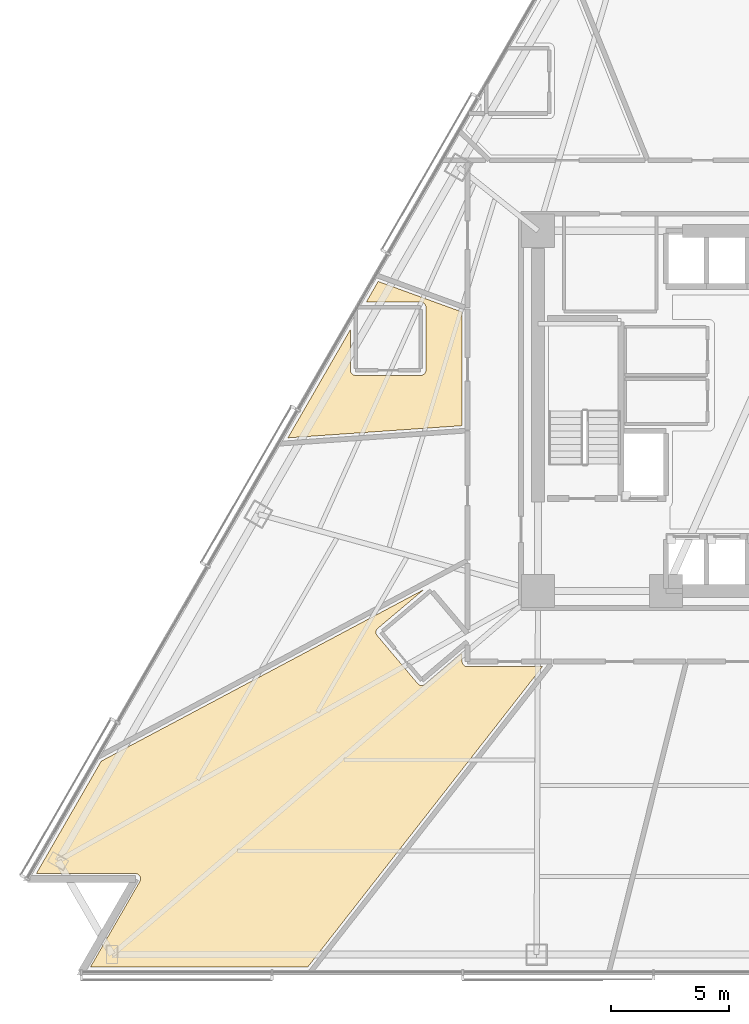
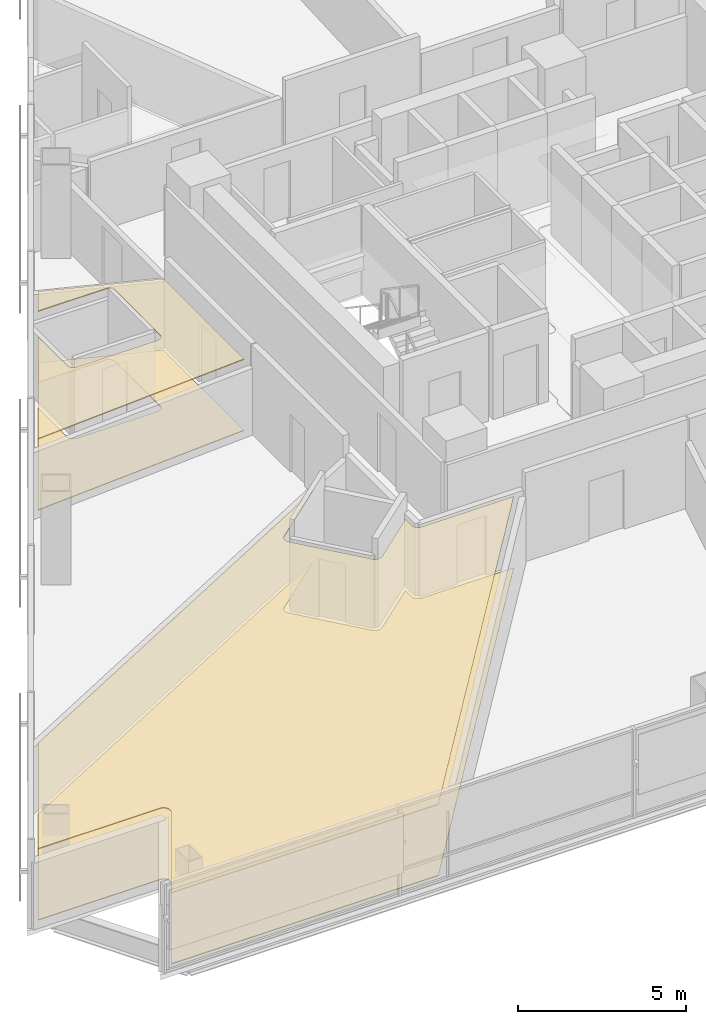
# One storey, part 14 of 16: 4 coverings.
"""IFC4 building model written with IfcOpenShell, lengths in metres."""

import ifcopenshell
import ifcopenshell.guid

model = None  # the IFC model being written
_history = None  # IfcOwnerHistory: only IFC2X3 demands one
_inside = {}  # id of a spatial element -> (the spatial element, [elements in it])
_under = {}  # id of a project, library or spatial element -> (it, [spatial elements below it])
_declared = {}  # id of a project -> (the project, [libraries it declares])
_typed = {}  # id of a type object -> (the type object, [elements of that type])
_made_of = {}  # id of a material, layer set ... -> (it, [elements and type objects made of it])


def new_model(schema):
    """Start an empty IFC model of exactly this schema.

    Asked for "IFC4X3", IfcOpenShell would pick the latest addendum, in which some entities
    have other attributes; the version numbers below select the first issue.
    IFC2X3 requires an IfcOwnerHistory on every rooted entity: one is made here for all.
    """
    global model, _history
    if schema == "IFC4X3":
        model = ifcopenshell.file(schema_version=(4, 3, 0, 0))
    else:
        model = ifcopenshell.file(schema=schema)
    _inside.clear()
    _under.clear()
    _declared.clear()
    _typed.clear()
    _made_of.clear()
    _history = None
    if model.schema == "IFC2X3":
        org = make("IfcOrganization", Name="unknown")
        user = make(
            "IfcPersonAndOrganization",
            ThePerson=make("IfcPerson", FamilyName="unknown"),
            TheOrganization=org,
        )
        app = make(
            "IfcApplication",
            ApplicationDeveloper=org,
            Version="unknown",
            ApplicationFullName="unknown",
            ApplicationIdentifier="unknown",
        )
        _history = make(
            "IfcOwnerHistory",
            OwningUser=user,
            OwningApplication=app,
            ChangeAction="ADDED",
            CreationDate=0,
        )
    return model


def make(cls, **values):
    """One entity of the class cls with the attributes given. An attribute that is None is left unset."""
    return model.create_entity(
        cls, **{name: value for name, value in values.items() if value is not None}
    )


def rooted(cls, **values):
    """An entity with a GlobalId (a new one), such as an element, a storey or a relation."""
    return make(cls, GlobalId=ifcopenshell.guid.new(), OwnerHistory=_history, **values)


def si_unit(unit_type, name, prefix=None):
    """IfcSIUnit, for example si_unit("LENGTHUNIT", "METRE", prefix="MILLI")."""
    return make("IfcSIUnit", UnitType=unit_type, Prefix=prefix, Name=name)


def assignment(units):
    """IfcUnitAssignment: the units of a project."""
    return None if units is None else make("IfcUnitAssignment", Units=units)


def point(xyz):
    """IfcCartesianPoint."""
    return None if xyz is None else make("IfcCartesianPoint", Coordinates=xyz)


def direction(xyz):
    """IfcDirection."""
    return None if xyz is None else make("IfcDirection", DirectionRatios=xyz)


def frame(location, z_axis=None, x_axis=None):
    """IfcAxis2Placement3D, a coordinate frame: its origin and axes. An axis left out is left unset."""
    return make(
        "IfcAxis2Placement3D",
        Location=point(location),
        Axis=direction(z_axis),
        RefDirection=direction(x_axis),
    )


def origin():
    """The frame at (0, 0, 0) with its axes left unset."""
    return frame((0.0, 0.0, 0.0))


def place(relative_to, where):
    """IfcLocalPlacement: puts the frame where relative to a parent placement (None: the world)."""
    return make(
        "IfcLocalPlacement", PlacementRelTo=relative_to, RelativePlacement=where
    )


def context(
    kind, dimensions, precision=None, world=None, true_north=None, identifier=None
):
    """IfcGeometricRepresentationContext, for example the 3D "Model" context."""
    return make(
        "IfcGeometricRepresentationContext",
        ContextIdentifier=identifier,
        ContextType=kind,
        CoordinateSpaceDimension=dimensions,
        Precision=precision,
        WorldCoordinateSystem=world,
        TrueNorth=true_north,
    )


def subcontext(parent, identifier, kind, view, scale=None):
    """IfcGeometricRepresentationSubContext, for example "Body" below "Model"."""
    return make(
        "IfcGeometricRepresentationSubContext",
        ContextIdentifier=identifier,
        ContextType=kind,
        ParentContext=parent,
        TargetScale=scale,
        TargetView=view,
    )


def project(units=None, contexts=None):
    """IfcProject with its units and contexts."""
    return rooted(
        "IfcProject",
        Name="project",
        RepresentationContexts=contexts,
        UnitsInContext=assignment(units),
    )


def spatial(cls, under=None, at=None, **own):
    """A site, building, storey or space (cls), placed at a placement, below another one or the project."""
    s = rooted(cls, ObjectPlacement=at, **own)
    if under is not None:
        _under.setdefault(under.id(), (under, []))[1].append(s)
    return s


def polyline(points):
    """IfcPolyline through the points."""
    return make("IfcPolyline", Points=[point(p) for p in points])


def outline(outer, holes=None, kind="AREA"):
    """IfcArbitraryClosedProfileDef: a profile drawn as a closed curve; with holes, ...WithVoids."""
    if holes is None:
        return make("IfcArbitraryClosedProfileDef", ProfileType=kind, OuterCurve=outer)
    return make(
        "IfcArbitraryProfileDefWithVoids",
        ProfileType=kind,
        OuterCurve=outer,
        InnerCurves=holes,
    )


def extrude(swept, where, along, depth):
    """IfcExtrudedAreaSolid: the profile swept, set in the frame where, extruded along a direction by depth."""
    return make(
        "IfcExtrudedAreaSolid",
        SweptArea=swept,
        Position=where,
        ExtrudedDirection=direction(along),
        Depth=depth,
    )


def shape(context_of_items, identifier, shape_type, items):
    """IfcShapeRepresentation: the items that make up one representation, for example the "Body"."""
    return make(
        "IfcShapeRepresentation",
        ContextOfItems=context_of_items,
        RepresentationIdentifier=identifier,
        RepresentationType=shape_type,
        Items=items,
    )


def material(Name=None, Category=None):
    """IfcMaterial."""
    return make("IfcMaterial", Name=Name, Category=Category)


def layer(
    of_material, thickness, ventilated=None, Name=None, Category=None, Priority=None
):
    """IfcMaterialLayer: one layer of a wall or slab, of a material (None: an air gap)."""
    return make(
        "IfcMaterialLayer",
        Material=of_material,
        LayerThickness=thickness,
        IsVentilated=ventilated,
        Name=Name,
        Category=Category,
        Priority=Priority,
    )


def layer_set(layers, Name=None):
    """IfcMaterialLayerSet."""
    return make("IfcMaterialLayerSet", MaterialLayers=layers, LayerSetName=Name)


def made_of(thing, what):
    """Note that an element or type object is made of a material, layer set ...; save() writes the relation."""
    if what is not None:
        _made_of.setdefault(what.id(), (what, []))[1].append(thing)
    return thing


def type_object(cls, material=None, **own):
    """A type object (cls), such as IfcWallType, which elements share."""
    return made_of(rooted(cls, **own), material)


def element(
    cls,
    number,
    at=None,
    inside=None,
    cuts=None,
    type_object=None,
    material=None,
    context=None,
    identifier="Body",
    shape_type=None,
    held_by="IfcProductDefinitionShape",
    body=None,
    shapes=None,
    **own,
):
    """One element of the class cls, such as IfcWall. Its Tag is "e" and its number.

    at: its placement. inside: the storey or other place that contains it. cuts: it is an
    opening in that element (IfcRelVoidsElement). A single representation is given by context,
    identifier, shape_type and body (its items); several are given by shapes. held_by: the class
    of the entity that holds the representations. save() writes the other relations.
    """
    e = rooted(cls, Tag="e%d" % number, ObjectPlacement=at, **own)
    if body is not None:
        shapes = [shape(context, identifier, shape_type, body)]
    if shapes is not None:
        e.Representation = make(held_by, Representations=shapes)
    if inside is not None:
        _inside.setdefault(inside.id(), (inside, []))[1].append(e)
    if cuts is not None:
        rooted(
            "IfcRelVoidsElement", RelatingBuildingElement=cuts, RelatedOpeningElement=e
        )
    if type_object is not None:
        _typed.setdefault(type_object.id(), (type_object, []))[1].append(e)
    return made_of(e, material)


def aggregate(whole, parts):
    """IfcRelAggregates: a whole, such as a stair, and the parts it consists of."""
    return rooted("IfcRelAggregates", RelatingObject=whole, RelatedObjects=parts)


def save(model, path):
    """Write the relations noted so far, then the file.

    IfcRelAggregates (storeys below a building ...), IfcRelContainedInSpatialStructure (elements
    in a storey), IfcRelDefinesByType, IfcRelAssociatesMaterial and IfcRelDeclares: one each for
    every whole, place, type object, material and project.
    """
    for whole, parts in _under.values():
        aggregate(whole, parts)
    for where, things in _inside.values():
        rooted(
            "IfcRelContainedInSpatialStructure",
            RelatedElements=things,
            RelatingStructure=where,
        )
    for kind, things in _typed.values():
        rooted("IfcRelDefinesByType", RelatedObjects=things, RelatingType=kind)
    for what, things in _made_of.values():
        rooted("IfcRelAssociatesMaterial", RelatedObjects=things, RelatingMaterial=what)
    for by, libraries in _declared.values():
        rooted("IfcRelDeclares", RelatingContext=by, RelatedDefinitions=libraries)
    model.write(path)


model = new_model("IFC4")

# Units and contexts
model_context = context("Model", 3, precision=1e-05, world=origin(), true_north=direction((0.0, 1.0)))
body_context = subcontext(model_context, "Body", "Model", "MODEL_VIEW")
ifc_project = project(units=[si_unit("LENGTHUNIT", "METRE"), si_unit("AREAUNIT", "SQUARE_METRE"), si_unit("VOLUMEUNIT", "CUBIC_METRE"), si_unit("PLANEANGLEUNIT", "RADIAN"), si_unit("MASSUNIT", "GRAM", prefix="KILO")], contexts=[model_context])

# Site, building, storey
site_placement = place(None, origin())
site = spatial("IfcSite", under=ifc_project, at=site_placement, CompositionType="ELEMENT")
building_placement = place(site_placement, origin())
building = spatial("IfcBuilding", under=site, at=building_placement, Name="Tharavind Bronze Gate", CompositionType="ELEMENT")
storey_placement = place(building_placement, frame((0.0, 0.0, 45.449951171875)))
storey = spatial("IfcBuildingStorey", under=building, at=storey_placement, Name="L10", CompositionType="ELEMENT", Elevation=45.449951171875)

# Coverings
ifc_material_1 = material(Name="Engineered Oak & Carpet Tile", Category="wood")
ifc_layer_1 = layer(ifc_material_1, 0.02490234375)
ifc_layer_set_1 = layer_set([ifc_layer_1], Name="Engineered Oak & Carpet Tile")
covering_type_1 = type_object("IfcCoveringType", Name="ENGINEERED TIMBER FLOORING", PredefinedType="FLOORING", material=ifc_layer_set_1)
covering_1_placement = place(storey_placement, origin())
element("IfcCovering", 1, at=covering_1_placement, inside=storey, type_object=covering_type_1, Name="L10-RM-07 floor finish", PredefinedType="FLOORING", context=body_context, shape_type="SweptSolid", body=[
    extrude(outline(polyline([(-12.10009765625, -0.62548828125), (-12.10009765625, 4.169921875), (-15.64599609375, 5.46044921875), (-16.14990234375, 4.587646484375), (-13.85009765625, 4.587646484375), (-13.828369140625, 4.586669921875), (-13.80712890625, 4.58349609375), (-13.7861328125, 4.578125), (-13.765869140625, 4.57080078125), (-13.746337890625, 4.561767578125), (-13.727783203125, 4.550537109375), (-13.71044921875, 4.53759765625), (-13.6943359375, 4.523193359375), (-13.679931640625, 4.507080078125), (-13.6669921875, 4.489990234375), (-13.656005859375, 4.471435546875), (-13.646728515625, 4.451904296875), (-13.639404296875, 4.431396484375), (-13.63427734375, 4.41064453125), (-13.631103515625, 4.38916015625), (-13.6298828125, 4.36767578125), (-13.6298828125, 1.717529296875), (-13.631103515625, 1.696044921875), (-13.63427734375, 1.6748046875), (-13.639404296875, 1.65380859375), (-13.646728515625, 1.633544921875), (-13.656005859375, 1.614013671875), (-13.6669921875, 1.595458984375), (-13.679931640625, 1.578125), (-13.6943359375, 1.56201171875), (-13.71044921875, 1.547607421875), (-13.727783203125, 1.53466796875), (-13.746337890625, 1.523681640625), (-13.765869140625, 1.514404296875), (-13.7861328125, 1.507080078125), (-13.80712890625, 1.501953125), (-13.828369140625, 1.498779296875), (-13.85009765625, 1.49755859375), (-16.60009765625, 1.49755859375), (-16.62158203125, 1.498779296875), (-16.642822265625, 1.501953125), (-16.663818359375, 1.507080078125), (-16.68408203125, 1.514404296875), (-16.70361328125, 1.523681640625), (-16.72216796875, 1.53466796875), (-16.739501953125, 1.547607421875), (-16.755615234375, 1.56201171875), (-16.77001953125, 1.578125), (-16.782958984375, 1.595458984375), (-16.7939453125, 1.614013671875), (-16.80322265625, 1.633544921875), (-16.810546875, 1.65380859375), (-16.81591796875, 1.6748046875), (-16.81884765625, 1.696044921875), (-16.820068359375, 1.717529296875), (-16.820068359375, 3.427001953125), (-19.456787109375, -1.139892578125), (-12.10009765625, -0.62548828125)])), origin(), (0.0, 0.0, 1.0), 0.025146484375),
])
covering_2_placement = place(storey_placement, origin())
element("IfcCovering", 2, at=covering_2_placement, inside=storey, type_object=covering_type_1, Name="L10-RM-09 floor finish", PredefinedType="FLOORING", context=body_context, shape_type="SweptSolid", body=[
    extrude(outline(polyline([(-25.896484375, -19.531005859375), (-25.885498046875, -19.53125), (-25.885009765625, -19.53125), (-25.863037109375, -19.533447265625), (-25.841552734375, -19.53759765625), (-25.820556640625, -19.544189453125), (-25.80029296875, -19.552734375), (-25.781005859375, -19.563232421875), (-25.762939453125, -19.57568359375), (-25.74609375, -19.589599609375), (-25.73095703125, -19.60546875), (-25.71728515625, -19.62255859375), (-25.705322265625, -19.640869140625), (-25.6953125, -19.660400390625), (-25.687255859375, -19.680908203125), (-25.681396484375, -19.701904296875), (-25.677490234375, -19.7236328125), (-25.67578125, -19.745361328125), (-25.676513671875, -19.767333984375), (-25.67919921875, -19.7890625), (-25.68408203125, -19.810546875), (-25.691162109375, -19.831298828125), (-25.7001953125, -19.851318359375), (-25.7001953125, -19.851806640625), (-25.70556640625, -19.861328125), (-27.794677734375, -23.47998046875), (-18.623779296875, -23.47998046875), (-8.717041015625, -10.800048828125), (-11.87939453125, -10.800048828125), (-11.89013671875, -10.7998046875), (-11.890869140625, -10.7998046875), (-11.912353515625, -10.797607421875), (-11.933349609375, -10.79345703125), (-11.9541015625, -10.787109375), (-11.97412109375, -10.77880859375), (-11.9931640625, -10.768798828125), (-12.010986328125, -10.756591796875), (-12.027587890625, -10.742919921875), (-12.04296875, -10.727783203125), (-12.056640625, -10.7109375), (-12.068603515625, -10.693115234375), (-12.078857421875, -10.674072265625), (-12.087158203125, -10.654052734375), (-12.093505859375, -10.63330078125), (-12.09765625, -10.6123046875), (-12.099609375, -10.5908203125), (-12.099609375, -10.590087890625), (-12.10009765625, -10.579345703125), (-12.10009765625, -10.218017578125), (-13.66796875, -11.53955078125), (-13.685302734375, -11.552490234375), (-13.70361328125, -11.56396484375), (-13.722900390625, -11.573486328125), (-13.7431640625, -11.580810546875), (-13.763916015625, -11.58642578125), (-13.785400390625, -11.58984375), (-13.806884765625, -11.59130859375), (-13.82861328125, -11.59033203125), (-13.849853515625, -11.58740234375), (-13.870849609375, -11.58251953125), (-13.891357421875, -11.57568359375), (-13.910888671875, -11.566650390625), (-13.9296875, -11.5556640625), (-13.947021484375, -11.543212890625), (-13.96337890625, -11.52880859375), (-13.97802734375, -11.512939453125), (-15.685791015625, -9.486572265625), (-15.69873046875, -9.469482421875), (-15.710205078125, -9.451171875), (-15.719482421875, -9.431640625), (-15.727294921875, -9.41162109375), (-15.732666015625, -9.390625), (-15.736083984375, -9.369384765625), (-15.737548828125, -9.34765625), (-15.73681640625, -9.326171875), (-15.73388671875, -9.3046875), (-15.728759765625, -9.28369140625), (-15.7216796875, -9.26318359375), (-15.712890625, -9.24365234375), (-15.701904296875, -9.22509765625), (-15.689208984375, -9.20751953125), (-15.675048828125, -9.19140625), (-15.6591796875, -9.176513671875), (-13.72607421875, -7.54736328125), (-27.333251953125, -14.782470703125), (-30.07470703125, -19.531005859375), (-25.896484375, -19.531005859375)])), origin(), (0.0, 0.0, 1.0), 0.025146484375),
])
ifc_material_2 = material(Name="Acoustic Gypsum Board", Category="gypsum")
ifc_layer_2 = layer(ifc_material_2, 0.030029296875)
ifc_layer_set_2 = layer_set([ifc_layer_2], Name="Acoustic Gypsum Board")
covering_type_2 = type_object("IfcCoveringType", Name="GYPSUM SUSPENDED CEILING", PredefinedType="CEILING", material=ifc_layer_set_2)
covering_3_placement = place(storey_placement, frame((0.0, 0.0, 2.574951171875)))
element("IfcCovering", 3, at=covering_3_placement, inside=storey, type_object=covering_type_2, Name="L10-RM-07 suspended ceiling", PredefinedType="CEILING", context=body_context, shape_type="SweptSolid", body=[
    extrude(outline(polyline([(-12.10009765625, -0.62548828125), (-12.10009765625, 4.169921875), (-15.64599609375, 5.46044921875), (-16.14990234375, 4.587646484375), (-13.85009765625, 4.587646484375), (-13.828369140625, 4.586669921875), (-13.80712890625, 4.58349609375), (-13.7861328125, 4.578125), (-13.765869140625, 4.57080078125), (-13.746337890625, 4.561767578125), (-13.727783203125, 4.550537109375), (-13.71044921875, 4.53759765625), (-13.6943359375, 4.523193359375), (-13.679931640625, 4.507080078125), (-13.6669921875, 4.489990234375), (-13.656005859375, 4.471435546875), (-13.646728515625, 4.451904296875), (-13.639404296875, 4.431396484375), (-13.63427734375, 4.41064453125), (-13.631103515625, 4.38916015625), (-13.6298828125, 4.36767578125), (-13.6298828125, 1.717529296875), (-13.631103515625, 1.696044921875), (-13.63427734375, 1.6748046875), (-13.639404296875, 1.65380859375), (-13.646728515625, 1.633544921875), (-13.656005859375, 1.614013671875), (-13.6669921875, 1.595458984375), (-13.679931640625, 1.578125), (-13.6943359375, 1.56201171875), (-13.71044921875, 1.547607421875), (-13.727783203125, 1.53466796875), (-13.746337890625, 1.523681640625), (-13.765869140625, 1.514404296875), (-13.7861328125, 1.507080078125), (-13.80712890625, 1.501953125), (-13.828369140625, 1.498779296875), (-13.85009765625, 1.49755859375), (-16.60009765625, 1.49755859375), (-16.62158203125, 1.498779296875), (-16.642822265625, 1.501953125), (-16.663818359375, 1.507080078125), (-16.68408203125, 1.514404296875), (-16.70361328125, 1.523681640625), (-16.72216796875, 1.53466796875), (-16.739501953125, 1.547607421875), (-16.755615234375, 1.56201171875), (-16.77001953125, 1.578125), (-16.782958984375, 1.595458984375), (-16.7939453125, 1.614013671875), (-16.80322265625, 1.633544921875), (-16.810546875, 1.65380859375), (-16.81591796875, 1.6748046875), (-16.81884765625, 1.696044921875), (-16.820068359375, 1.717529296875), (-16.820068359375, 3.427001953125), (-19.456787109375, -1.139892578125), (-12.10009765625, -0.62548828125)])), origin(), (0.0, 0.0, 1.0), 0.03515625),
])
covering_4_placement = place(storey_placement, frame((0.0, 0.0, 2.574951171875)))
element("IfcCovering", 4, at=covering_4_placement, inside=storey, type_object=covering_type_2, Name="L10-RM-09 suspended ceiling", PredefinedType="CEILING", context=body_context, shape_type="SweptSolid", body=[
    extrude(outline(polyline([(-25.896484375, -19.531005859375), (-25.885498046875, -19.53125), (-25.885009765625, -19.53125), (-25.863037109375, -19.533447265625), (-25.841552734375, -19.53759765625), (-25.820556640625, -19.544189453125), (-25.80029296875, -19.552734375), (-25.781005859375, -19.563232421875), (-25.762939453125, -19.57568359375), (-25.74609375, -19.589599609375), (-25.73095703125, -19.60546875), (-25.71728515625, -19.62255859375), (-25.705322265625, -19.640869140625), (-25.6953125, -19.660400390625), (-25.687255859375, -19.680908203125), (-25.681396484375, -19.701904296875), (-25.677490234375, -19.7236328125), (-25.67578125, -19.745361328125), (-25.676513671875, -19.767333984375), (-25.67919921875, -19.7890625), (-25.68408203125, -19.810546875), (-25.691162109375, -19.831298828125), (-25.7001953125, -19.851318359375), (-25.7001953125, -19.851806640625), (-25.70556640625, -19.861328125), (-27.794677734375, -23.47998046875), (-18.623779296875, -23.47998046875), (-8.717041015625, -10.800048828125), (-11.87939453125, -10.800048828125), (-11.89013671875, -10.7998046875), (-11.890869140625, -10.7998046875), (-11.912353515625, -10.797607421875), (-11.933349609375, -10.79345703125), (-11.9541015625, -10.787109375), (-11.97412109375, -10.77880859375), (-11.9931640625, -10.768798828125), (-12.010986328125, -10.756591796875), (-12.027587890625, -10.742919921875), (-12.04296875, -10.727783203125), (-12.056640625, -10.7109375), (-12.068603515625, -10.693115234375), (-12.078857421875, -10.674072265625), (-12.087158203125, -10.654052734375), (-12.093505859375, -10.63330078125), (-12.09765625, -10.6123046875), (-12.099609375, -10.5908203125), (-12.099609375, -10.590087890625), (-12.10009765625, -10.579345703125), (-12.10009765625, -10.218017578125), (-13.66796875, -11.53955078125), (-13.685302734375, -11.552490234375), (-13.70361328125, -11.56396484375), (-13.722900390625, -11.573486328125), (-13.7431640625, -11.580810546875), (-13.763916015625, -11.58642578125), (-13.785400390625, -11.58984375), (-13.806884765625, -11.59130859375), (-13.82861328125, -11.59033203125), (-13.849853515625, -11.58740234375), (-13.870849609375, -11.58251953125), (-13.891357421875, -11.57568359375), (-13.910888671875, -11.566650390625), (-13.9296875, -11.5556640625), (-13.947021484375, -11.543212890625), (-13.96337890625, -11.52880859375), (-13.97802734375, -11.512939453125), (-15.685791015625, -9.486572265625), (-15.69873046875, -9.469482421875), (-15.710205078125, -9.451171875), (-15.719482421875, -9.431640625), (-15.727294921875, -9.41162109375), (-15.732666015625, -9.390625), (-15.736083984375, -9.369384765625), (-15.737548828125, -9.34765625), (-15.73681640625, -9.326171875), (-15.73388671875, -9.3046875), (-15.728759765625, -9.28369140625), (-15.7216796875, -9.26318359375), (-15.712890625, -9.24365234375), (-15.701904296875, -9.22509765625), (-15.689208984375, -9.20751953125), (-15.675048828125, -9.19140625), (-15.6591796875, -9.176513671875), (-13.72607421875, -7.54736328125), (-27.333251953125, -14.782470703125), (-30.07470703125, -19.531005859375), (-25.896484375, -19.531005859375)])), origin(), (0.0, 0.0, 1.0), 0.03515625),
])

save(model, "model.ifc")
